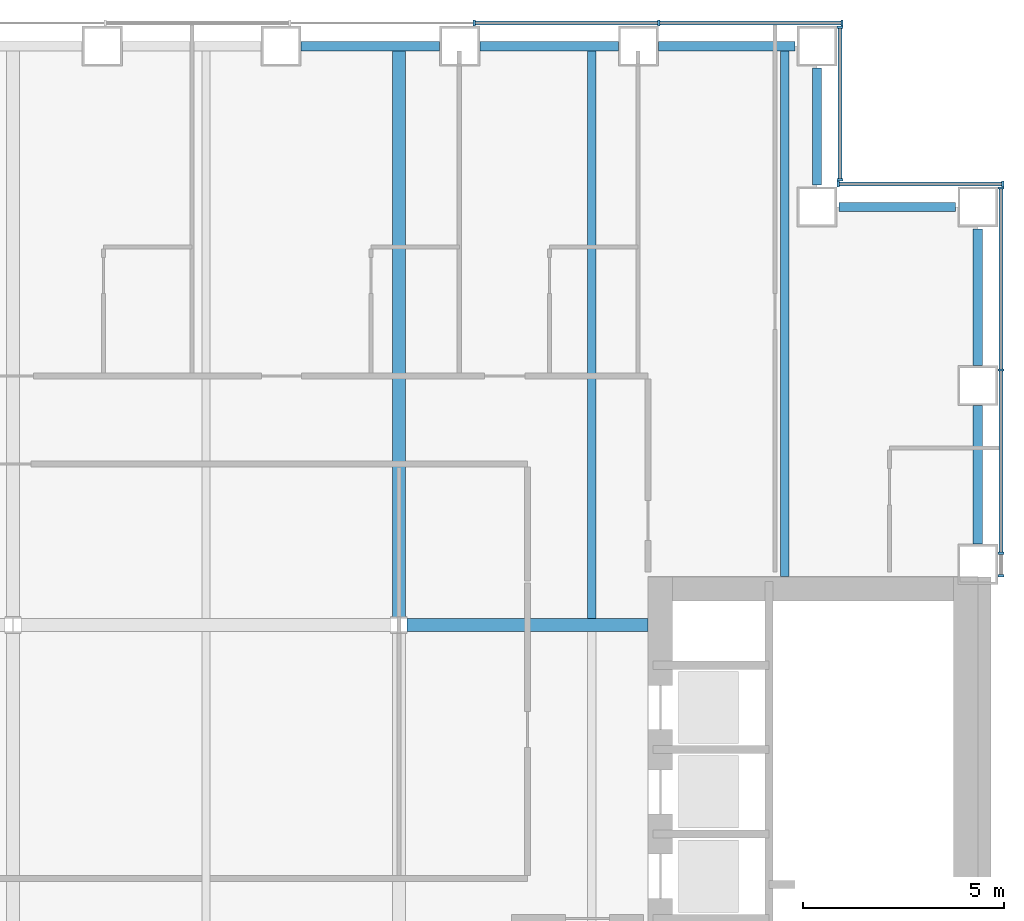
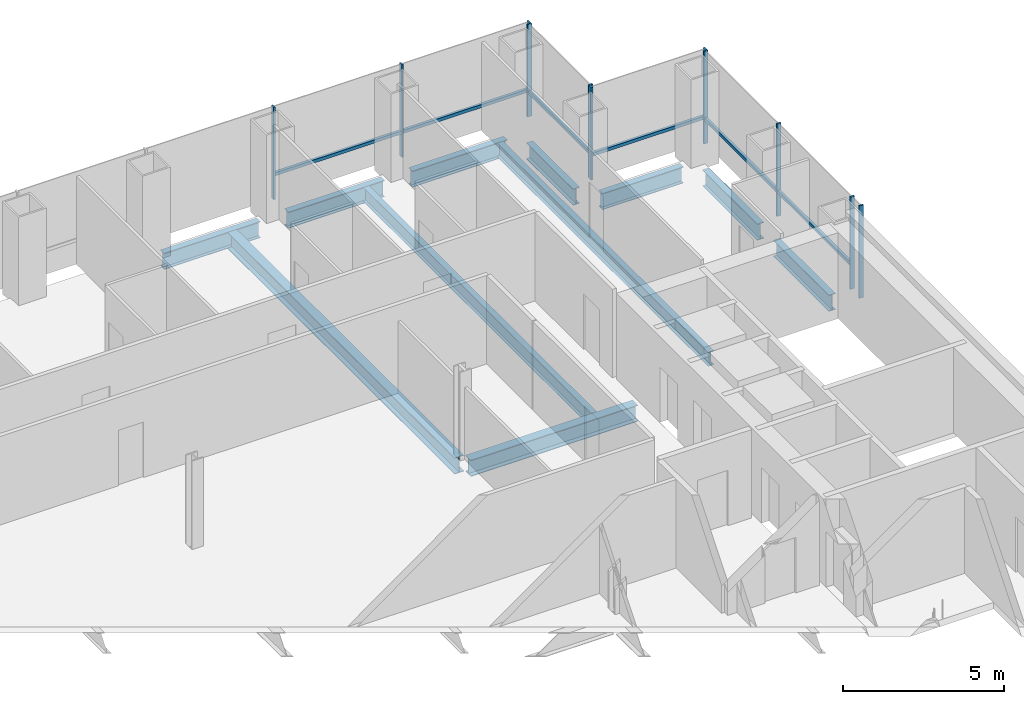
# One storey, part 10 of 21: 17 members, 11 beams, 4 elements without a shape of their own.
"""IFC4 building model written with IfcOpenShell, lengths in metres."""

from ifc_helpers import new_model, si_unit, direction, frame, origin, origin_2d, place, context, subcontext, project, spatial, rectangle, i_section, extrude, material, material_profile, profile_set, type_object, element, aggregate, save


model = new_model("IFC4")

# Units and contexts
model_context = context("Model", 3, precision=1e-05, world=origin(), true_north=direction((0.0, 1.0)))
body_context = subcontext(model_context, "Body", "Model", "MODEL_VIEW")
ifc_project = project(units=[si_unit("LENGTHUNIT", "METRE"), si_unit("AREAUNIT", "SQUARE_METRE"), si_unit("VOLUMEUNIT", "CUBIC_METRE"), si_unit("PLANEANGLEUNIT", "RADIAN"), si_unit("MASSUNIT", "GRAM", prefix="KILO")], contexts=[model_context])

# Site, building, storey
site_placement = place(None, origin())
site = spatial("IfcSite", under=ifc_project, at=site_placement, CompositionType="ELEMENT")
building_placement = place(site_placement, origin())
building = spatial("IfcBuilding", under=site, at=building_placement, Name="Cobrizo Arcos Hotel Tower", CompositionType="ELEMENT")
storey_placement = place(building_placement, frame((0.0, 0.0, 42.5)))
storey = spatial("IfcBuildingStorey", under=building, at=storey_placement, Name="L08", CompositionType="ELEMENT", Elevation=42.5)

# Curtain wall, members
ifc_material_1 = material(Name="Aluminium 6063-T6 anodised bronze", Category="aluminium")
curtain_wall_type = type_object("IfcCurtainWallType", Name="CW-A guest facade", PredefinedType="NOTDEFINED", material=ifc_material_1)
curtain_wall_1_placement = place(storey_placement, origin())
curtain_wall_1 = element("IfcCurtainWall", 1, at=curtain_wall_1_placement, inside=storey, type_object=curtain_wall_type, Name="CW-A L08 E face", PredefinedType="NOTDEFINED")
ifc_material_profile_1 = material_profile(ifc_material_1, rectangle(XDim=0.14990234375, YDim=0.06005859375, at=origin_2d()), Name="CW-A mullion 150x60")
ifc_profile_set_1 = profile_set([ifc_material_profile_1], Name="Aluminium 6063-T6 anodised bronze")
member_type_1 = type_object("IfcMemberType", Name="CW-A mullion 150x60", PredefinedType="MULLION", material=ifc_profile_set_1)
member_1_placement = place(storey_placement, frame((24.574951171875, 10.830078125, 0.0), z_axis=(0.0, 0.0, 1.0), x_axis=(1.0, 0.0, 0.0)))
member_1 = element("IfcMember", 2, at=member_1_placement, type_object=member_type_1, Name="CW-A mullion 1", PredefinedType="MULLION", context=body_context, shape_type="SweptSolid", body=[
    extrude(rectangle(XDim=0.14990234375, YDim=0.06005859375, at=origin_2d()), origin(), (0.0, 0.0, 1.0), 3.5),
])
member_2_placement = place(storey_placement, frame((24.574951171875, 11.388916015625, 0.0), z_axis=(0.0, 0.0, 1.0), x_axis=(1.0, 0.0, 0.0)))
member_2 = element("IfcMember", 3, at=member_2_placement, type_object=member_type_1, Name="CW-A mullion 2", PredefinedType="MULLION", context=body_context, shape_type="SweptSolid", body=[
    extrude(rectangle(XDim=0.14990234375, YDim=0.06005859375, at=origin_2d()), origin(), (0.0, 0.0, 1.0), 3.5),
])
member_3_placement = place(storey_placement, frame((24.574951171875, 15.9443359375, 0.0), z_axis=(0.0, 0.0, 1.0), x_axis=(1.0, 0.0, 0.0)))
member_3 = element("IfcMember", 4, at=member_3_placement, type_object=member_type_1, Name="CW-A mullion 3", PredefinedType="MULLION", context=body_context, shape_type="SweptSolid", body=[
    extrude(rectangle(XDim=0.14990234375, YDim=0.06005859375, at=origin_2d()), origin(), (0.0, 0.0, 1.0), 3.5),
])
member_4_placement = place(storey_placement, frame((24.574951171875, 20.469970703125, 0.0), z_axis=(0.0, 0.0, 1.0), x_axis=(1.0, 0.0, 0.0)))
member_4 = element("IfcMember", 5, at=member_4_placement, type_object=member_type_1, Name="CW-A mullion 4", PredefinedType="MULLION", context=body_context, shape_type="SweptSolid", body=[
    extrude(rectangle(XDim=0.14990234375, YDim=0.06005859375, at=origin_2d()), origin(), (0.0, 0.0, 1.0), 3.5),
])

curtain_wall_2_placement = place(storey_placement, origin())
curtain_wall_2 = element("IfcCurtainWall", 6, at=curtain_wall_2_placement, inside=storey, type_object=curtain_wall_type, Name="CW-A L08 N face", PredefinedType="NOTDEFINED")
member_5_placement = place(storey_placement, frame((24.6201171875, 20.574951171875, 0.0), z_axis=(0.0, 0.0, 1.0), x_axis=(0.0, 1.0, 0.0)))
member_5 = element("IfcMember", 7, at=member_5_placement, type_object=member_type_1, Name="CW-A mullion 1", PredefinedType="MULLION", context=body_context, shape_type="SweptSolid", body=[
    extrude(rectangle(XDim=0.14990234375, YDim=0.06005859375, at=origin_2d()), origin(), (0.0, 0.0, 1.0), 3.5),
])
member_6_placement = place(storey_placement, frame((20.530029296875, 20.574951171875, 0.0), z_axis=(0.0, 0.0, 1.0), x_axis=(0.0, 1.0, 0.0)))
member_6 = element("IfcMember", 8, at=member_6_placement, type_object=member_type_1, Name="CW-A mullion 2", PredefinedType="MULLION", context=body_context, shape_type="SweptSolid", body=[
    extrude(rectangle(XDim=0.14990234375, YDim=0.06005859375, at=origin_2d()), origin(), (0.0, 0.0, 1.0), 3.5),
])

curtain_wall_3_placement = place(storey_placement, origin())
curtain_wall_3 = element("IfcCurtainWall", 9, at=curtain_wall_3_placement, inside=storey, type_object=curtain_wall_type, Name="CW-A L08 E face", PredefinedType="NOTDEFINED")
member_7_placement = place(storey_placement, frame((20.574951171875, 20.679931640625, 0.0), z_axis=(0.0, 0.0, 1.0), x_axis=(1.0, 0.0, 0.0)))
member_7 = element("IfcMember", 10, at=member_7_placement, type_object=member_type_1, Name="CW-A mullion 1", PredefinedType="MULLION", context=body_context, shape_type="SweptSolid", body=[
    extrude(rectangle(XDim=0.14990234375, YDim=0.06005859375, at=origin_2d()), origin(), (0.0, 0.0, 1.0), 3.5),
])
member_8_placement = place(storey_placement, frame((20.574951171875, 24.469970703125, 0.0), z_axis=(0.0, 0.0, 1.0), x_axis=(1.0, 0.0, 0.0)))
member_8 = element("IfcMember", 11, at=member_8_placement, type_object=member_type_1, Name="CW-A mullion 2", PredefinedType="MULLION", context=body_context, shape_type="SweptSolid", body=[
    extrude(rectangle(XDim=0.14990234375, YDim=0.06005859375, at=origin_2d()), origin(), (0.0, 0.0, 1.0), 3.5),
])

curtain_wall_4_placement = place(storey_placement, origin())
curtain_wall_4 = element("IfcCurtainWall", 12, at=curtain_wall_4_placement, inside=storey, type_object=curtain_wall_type, Name="CW-A L08 N face", PredefinedType="NOTDEFINED")
member_9_placement = place(storey_placement, frame((20.6201171875, 24.574951171875, 0.0), z_axis=(0.0, 0.0, 1.0), x_axis=(0.0, 1.0, 0.0)))
member_9 = element("IfcMember", 13, at=member_9_placement, type_object=member_type_1, Name="CW-A mullion 1", PredefinedType="MULLION", context=body_context, shape_type="SweptSolid", body=[
    extrude(rectangle(XDim=0.14990234375, YDim=0.06005859375, at=origin_2d()), origin(), (0.0, 0.0, 1.0), 3.5),
])
member_10_placement = place(storey_placement, frame((16.06103515625, 24.574951171875, 0.0), z_axis=(0.0, 0.0, 1.0), x_axis=(0.0, 1.0, 0.0)))
member_10 = element("IfcMember", 14, at=member_10_placement, type_object=member_type_1, Name="CW-A mullion 2", PredefinedType="MULLION", context=body_context, shape_type="SweptSolid", body=[
    extrude(rectangle(XDim=0.14990234375, YDim=0.06005859375, at=origin_2d()), origin(), (0.0, 0.0, 1.0), 3.5),
])
member_11_placement = place(storey_placement, frame((11.47216796875, 24.574951171875, 0.0), z_axis=(0.0, 0.0, 1.0), x_axis=(0.0, 1.0, 0.0)))
member_11 = element("IfcMember", 15, at=member_11_placement, type_object=member_type_1, Name="CW-A mullion 3", PredefinedType="MULLION", context=body_context, shape_type="SweptSolid", body=[
    extrude(rectangle(XDim=0.14990234375, YDim=0.06005859375, at=origin_2d()), origin(), (0.0, 0.0, 1.0), 3.5),
])

# Member
ifc_material_profile_2 = material_profile(ifc_material_1, rectangle(XDim=0.10009765625, YDim=0.1201171875, at=origin_2d()), Name="CW-A transom 120x100")
ifc_profile_set_2 = profile_set([ifc_material_profile_2], Name="Aluminium 6063-T6 anodised bronze")
member_type_2 = type_object("IfcMemberType", Name="CW-A transom 120x100", PredefinedType="USERDEFINED", material=ifc_profile_set_2)
member_12_placement = place(storey_placement, frame((24.574951171875, 11.4189453125, 0.929931640625), z_axis=(0.0, 1.0, 0.0), x_axis=(-1.0, 0.0, 0.0)))
member_12 = element("IfcMember", 16, at=member_12_placement, type_object=member_type_2, Name="CW-A transom 414", ObjectType="TRANSOM", PredefinedType="USERDEFINED", context=body_context, shape_type="SweptSolid", body=[
    extrude(rectangle(XDim=0.10009765625, YDim=0.1201171875, at=origin_2d()), origin(), (0.0, 0.0, 1.0), 4.49560546875),
])

member_13_placement = place(storey_placement, frame((24.574951171875, 15.974365234375, 0.929931640625), z_axis=(0.0, 1.0, 0.0), x_axis=(-1.0, 0.0, 0.0)))
member_13 = element("IfcMember", 17, at=member_13_placement, type_object=member_type_2, Name="CW-A transom 415", ObjectType="TRANSOM", PredefinedType="USERDEFINED", context=body_context, shape_type="SweptSolid", body=[
    extrude(rectangle(XDim=0.10009765625, YDim=0.1201171875, at=origin_2d()), origin(), (0.0, 0.0, 1.0), 4.465576171875),
])

aggregate(curtain_wall_1, [member_1, member_2, member_3, member_4, member_12, member_13])

member_14_placement = place(storey_placement, frame((24.590087890625, 20.574951171875, 0.929931640625), z_axis=(-1.0, 0.0, 0.0), x_axis=(0.0, -1.0, 0.0)))
member_14 = element("IfcMember", 18, at=member_14_placement, type_object=member_type_2, Name="CW-A transom 416", ObjectType="TRANSOM", PredefinedType="USERDEFINED", context=body_context, shape_type="SweptSolid", body=[
    extrude(rectangle(XDim=0.10009765625, YDim=0.1201171875, at=origin_2d()), origin(), (0.0, 0.0, 1.0), 4.030029296875),
])

aggregate(curtain_wall_2, [member_5, member_6, member_14])

member_15_placement = place(storey_placement, frame((20.574951171875, 20.7099609375, 0.929931640625), z_axis=(0.0, 1.0, 0.0), x_axis=(-1.0, 0.0, 0.0)))
member_15 = element("IfcMember", 19, at=member_15_placement, type_object=member_type_2, Name="CW-A transom 417", ObjectType="TRANSOM", PredefinedType="USERDEFINED", context=body_context, shape_type="SweptSolid", body=[
    extrude(rectangle(XDim=0.10009765625, YDim=0.1201171875, at=origin_2d()), origin(), (0.0, 0.0, 1.0), 3.72998046875),
])

aggregate(curtain_wall_3, [member_7, member_8, member_15])

member_16_placement = place(storey_placement, frame((20.590087890625, 24.574951171875, 0.929931640625), z_axis=(-1.0, 0.0, 0.0), x_axis=(0.0, -1.0, 0.0)))
member_16 = element("IfcMember", 20, at=member_16_placement, type_object=member_type_2, Name="CW-A transom 418", ObjectType="TRANSOM", PredefinedType="USERDEFINED", context=body_context, shape_type="SweptSolid", body=[
    extrude(rectangle(XDim=0.10009765625, YDim=0.1201171875, at=origin_2d()), origin(), (0.0, 0.0, 1.0), 4.4990234375),
])

member_17_placement = place(storey_placement, frame((16.031005859375, 24.574951171875, 0.929931640625), z_axis=(-1.0, 0.0, 0.0), x_axis=(0.0, -1.0, 0.0)))
member_17 = element("IfcMember", 21, at=member_17_placement, type_object=member_type_2, Name="CW-A transom 419", ObjectType="TRANSOM", PredefinedType="USERDEFINED", context=body_context, shape_type="SweptSolid", body=[
    extrude(rectangle(XDim=0.10009765625, YDim=0.1201171875, at=origin_2d()), origin(), (0.0, 0.0, 1.0), 4.52880859375),
])

aggregate(curtain_wall_4, [member_9, member_10, member_11, member_16, member_17])

# Beams
ifc_material_2 = material(Name="Steel ASTM A992 Grade 50", Category="steel")
ifc_material_profile_3 = material_profile(ifc_material_2, i_section(OverallWidth=0.209228515625, OverallDepth=0.533447265625, WebThickness=0.01025390625, FlangeThickness=0.015625, at=origin_2d()), Name="W21X62")
ifc_profile_set_3 = profile_set([ifc_material_profile_3], Name="Steel ASTM A992 Grade 50")
beam_type_1 = type_object("IfcBeamType", Name="W21X62 joist", PredefinedType="JOIST", material=ifc_profile_set_3)
beam_1_placement = place(storey_placement, frame((14.39990234375, 9.763916015625, -0.416748046875), z_axis=(0.0, 1.0, 0.0), x_axis=(-1.0, 0.0, 0.0)))
element("IfcBeam", 22, at=beam_1_placement, inside=storey, type_object=beam_type_1, Name="Floor joist J1, L08, no. 018", PredefinedType="JOIST", context=body_context, shape_type="SweptSolid", body=[
    extrude(i_section(OverallWidth=0.209228515625, OverallDepth=0.533447265625, WebThickness=0.01025390625, FlangeThickness=0.015625, at=origin_2d()), origin(), (0.0, 0.0, 1.0), 14.14599609375),
])
beam_2_placement = place(storey_placement, frame((19.199951171875, 10.81005859375, -0.416748046875), z_axis=(0.0, 1.0, 0.0), x_axis=(-1.0, 0.0, 0.0)))
element("IfcBeam", 23, at=beam_2_placement, inside=storey, type_object=beam_type_1, Name="Floor joist J1, L08, no. 020", PredefinedType="JOIST", context=body_context, shape_type="SweptSolid", body=[
    extrude(i_section(OverallWidth=0.209228515625, OverallDepth=0.533447265625, WebThickness=0.01025390625, FlangeThickness=0.015625, at=origin_2d()), origin(), (0.0, 0.0, 1.0), 13.099853515625),
])
ifc_material_profile_4 = material_profile(ifc_material_2, i_section(OverallWidth=0.32763671875, OverallDepth=0.622314453125, WebThickness=0.015380859375, FlangeThickness=0.0244140625, at=origin_2d()), Name="W24X131")
ifc_profile_set_4 = profile_set([ifc_material_profile_4], Name="Steel ASTM A992 Grade 50")
beam_type_2 = type_object("IfcBeamType", Name="W24X131 girder", PredefinedType="BEAM", material=ifc_profile_set_4)
beam_3_placement = place(storey_placement, frame((9.804443359375, 9.60009765625, -0.461181640625), z_axis=(1.0, 0.0, 0.0), x_axis=(0.0, 1.0, 0.0)))
element("IfcBeam", 24, at=beam_3_placement, inside=storey, type_object=beam_type_2, Name="Floor girder G1, L08, no. 012", PredefinedType="BEAM", context=body_context, shape_type="SweptSolid", body=[
    extrude(i_section(OverallWidth=0.32763671875, OverallDepth=0.622314453125, WebThickness=0.015380859375, FlangeThickness=0.0244140625, at=origin_2d()), origin(), (0.0, 0.0, 1.0), 5.985595703125),
])
beam_4_placement = place(storey_placement, frame((9.60009765625, 9.804443359375, -0.461181640625), z_axis=(0.0, 1.0, 0.0), x_axis=(-1.0, 0.0, 0.0)))
element("IfcBeam", 25, at=beam_4_placement, inside=storey, type_object=beam_type_2, Name="Floor girder G1, L08, no. 024", PredefinedType="BEAM", context=body_context, shape_type="SweptSolid", body=[
    extrude(i_section(OverallWidth=0.32763671875, OverallDepth=0.622314453125, WebThickness=0.015380859375, FlangeThickness=0.0244140625, at=origin_2d()), origin(), (0.0, 0.0, 1.0), 14.10546875),
])
ifc_material_profile_5 = material_profile(ifc_material_2, i_section(OverallWidth=0.23046875, OverallDepth=0.6171875, WebThickness=0.01318359375, FlangeThickness=0.022216796875, at=origin_2d()), Name="W24X94")
ifc_profile_set_5 = profile_set([ifc_material_profile_5], Name="Steel ASTM A992 Grade 50")
beam_type_3 = type_object("IfcBeamType", Name="W24X94 spandrel", PredefinedType="SPANDREL", material=ifc_profile_set_5)
beam_5_placement = place(storey_placement, frame((24.0, 11.611083984375, -0.45849609375), z_axis=(0.0, 1.0, 0.0), x_axis=(-1.0, 0.0, 0.0)))
element("IfcBeam", 26, at=beam_5_placement, inside=storey, type_object=beam_type_3, Name="Spandrel beam W24X94, L08, no. 014", PredefinedType="SPANDREL", context=body_context, shape_type="SweptSolid", body=[
    extrude(i_section(OverallWidth=0.23046875, OverallDepth=0.6171875, WebThickness=0.01318359375, FlangeThickness=0.022216796875, at=origin_2d()), origin(), (0.0, 0.0, 1.0), 3.44482421875),
])
beam_6_placement = place(storey_placement, frame((24.0, 16.055908203125, -0.45849609375), z_axis=(0.0, 1.0, 0.0), x_axis=(-1.0, 0.0, 0.0)))
element("IfcBeam", 27, at=beam_6_placement, inside=storey, type_object=beam_type_3, Name="Spandrel beam W24X94, L08, no. 015", PredefinedType="SPANDREL", context=body_context, shape_type="SweptSolid", body=[
    extrude(i_section(OverallWidth=0.23046875, OverallDepth=0.6171875, WebThickness=0.01318359375, FlangeThickness=0.022216796875, at=origin_2d()), origin(), (0.0, 0.0, 1.0), 3.39404296875),
])
for number, where, z_axis, x_axis, name in (
    (28, (23.449951171875, 20.0, -0.45849609375), (-1.0, 0.0, 0.0), (0.0, -1.0, 0.0), "Spandrel beam W24X94, L08, no. 016"),
    (29, (20.0, 20.550048828125, -0.45849609375), (0.0, 1.0, 0.0), (-1.0, 0.0, 0.0), "Spandrel beam W24X94, L08, no. 017"),
):
    element("IfcBeam", number, at=place(storey_placement, frame(where, z_axis=z_axis, x_axis=x_axis)), inside=storey, type_object=beam_type_3, Name=name, PredefinedType="SPANDREL", context=body_context, shape_type="SweptSolid", body=[
        extrude(i_section(OverallWidth=0.23046875, OverallDepth=0.6171875, WebThickness=0.01318359375, FlangeThickness=0.022216796875, at=origin_2d()), origin(), (0.0, 0.0, 1.0), 2.89990234375),
    ])
beam_7_placement = place(storey_placement, frame((19.449951171875, 24.0, -0.45849609375), z_axis=(-1.0, 0.0, 0.0), x_axis=(0.0, -1.0, 0.0)))
element("IfcBeam", 30, at=beam_7_placement, inside=storey, type_object=beam_type_3, Name="Spandrel beam W24X94, L08, no. 018", PredefinedType="SPANDREL", context=body_context, shape_type="SweptSolid", body=[
    extrude(i_section(OverallWidth=0.23046875, OverallDepth=0.6171875, WebThickness=0.01318359375, FlangeThickness=0.022216796875, at=origin_2d()), origin(), (0.0, 0.0, 1.0), 3.39404296875),
])
beam_8_placement = place(storey_placement, frame((15.055908203125, 24.0, -0.45849609375), z_axis=(-1.0, 0.0, 0.0), x_axis=(0.0, -1.0, 0.0)))
element("IfcBeam", 31, at=beam_8_placement, inside=storey, type_object=beam_type_3, Name="Spandrel beam W24X94, L08, no. 019", PredefinedType="SPANDREL", context=body_context, shape_type="SweptSolid", body=[
    extrude(i_section(OverallWidth=0.23046875, OverallDepth=0.6171875, WebThickness=0.01318359375, FlangeThickness=0.022216796875, at=origin_2d()), origin(), (0.0, 0.0, 1.0), 3.44482421875),
])
beam_9_placement = place(storey_placement, frame((10.611083984375, 24.0, -0.45849609375), z_axis=(-1.0, 0.0, 0.0), x_axis=(0.0, -1.0, 0.0)))
element("IfcBeam", 32, at=beam_9_placement, inside=storey, type_object=beam_type_3, Name="Spandrel beam W24X94, L08, no. 020", PredefinedType="SPANDREL", context=body_context, shape_type="SweptSolid", body=[
    extrude(i_section(OverallWidth=0.23046875, OverallDepth=0.6171875, WebThickness=0.01318359375, FlangeThickness=0.022216796875, at=origin_2d()), origin(), (0.0, 0.0, 1.0), 3.444091796875),
])

save(model, "model.ifc")
